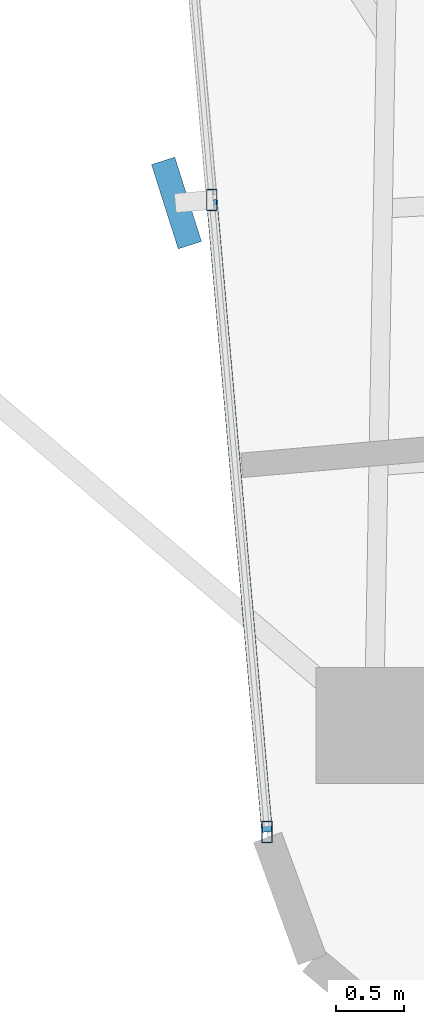
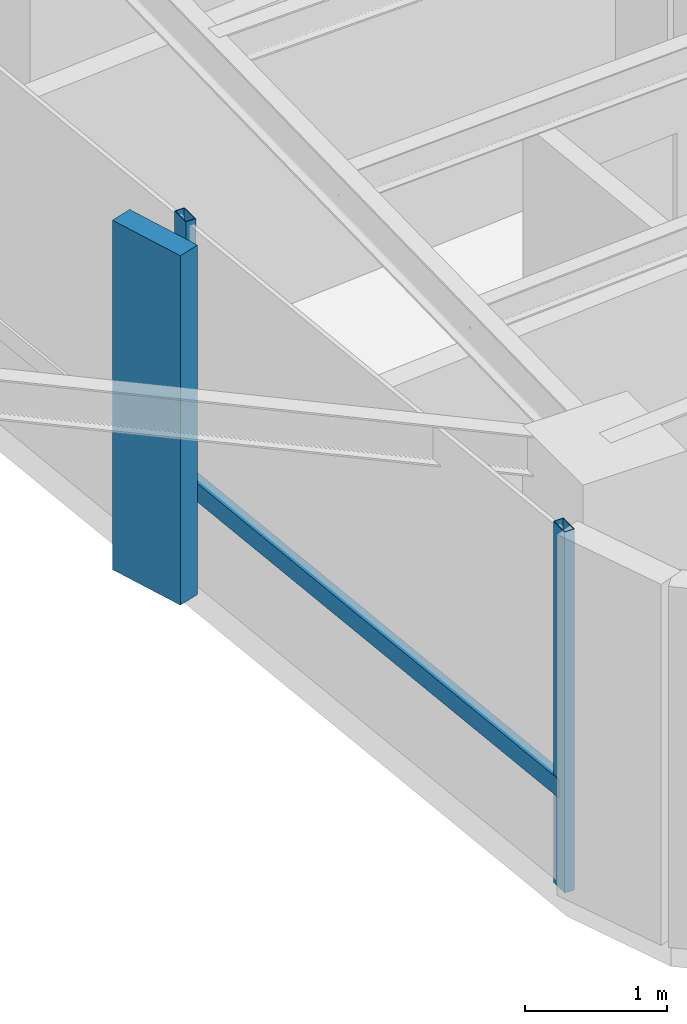
# One storey, part 2 of 24: 4 members, 1 element without a shape of its own.
"""IFC4 building model written with IfcOpenShell, lengths in metres."""

from ifc_helpers import new_model, si_unit, direction, frame, origin, origin_2d, place, context, subcontext, project, spatial, rectangle, hollow_rectangle, extrude, source, transform, mapped, material, material_profile, profile_set, type_object, element, aggregate, save


model = new_model("IFC4")

# Units and contexts
model_context = context("Model", 3, precision=1e-05, world=origin(), true_north=direction((0.0, 1.0)))
body_context = subcontext(model_context, "Body", "Model", "MODEL_VIEW")
ifc_project = project(units=[si_unit("LENGTHUNIT", "METRE"), si_unit("AREAUNIT", "SQUARE_METRE"), si_unit("VOLUMEUNIT", "CUBIC_METRE"), si_unit("PLANEANGLEUNIT", "RADIAN"), si_unit("MASSUNIT", "GRAM", prefix="KILO")], contexts=[model_context])

# Site, building, storey
site_placement = place(None, origin())
site = spatial("IfcSite", under=ifc_project, at=site_placement, CompositionType="ELEMENT")
building_placement = place(site_placement, origin())
building = spatial("IfcBuilding", under=site, at=building_placement, Name="Sahyath Konkavel Grand Hotel", CompositionType="ELEMENT")
storey_placement = place(building_placement, frame((0.0, 0.0, 150.60009765625)))
storey = spatial("IfcBuildingStorey", under=building, at=storey_placement, Name="L41", CompositionType="ELEMENT", Elevation=150.60009765625)

# Curtain wall, members
ifc_material_1 = material(Name="Anodised Bronze Aluminium & Low-E Glazing", Category="aluminium")
curtain_wall_type = type_object("IfcCurtainWallType", Name="CW-ZONE3", PredefinedType="NOTDEFINED", material=ifc_material_1)
curtain_wall_placement = place(storey_placement, origin())
curtain_wall = element("IfcCurtainWall", 1, at=curtain_wall_placement, inside=storey, type_object=curtain_wall_type, Name="L41 Unitised Curtain Wall F24", PredefinedType="NOTDEFINED")
ifc_material_2 = material(Name="Anodised Bronze Aluminium", Category="aluminium")
ifc_material_profile_1 = material_profile(ifc_material_2, hollow_rectangle(XDim=0.080078125, YDim=0.159912109375, WallThickness=0.006103515625, at=origin_2d()), Name="RHS 160x80x6")
ifc_profile_set_1 = profile_set([ifc_material_profile_1], Name="Anodised Bronze Aluminium")
member_type_1 = type_object("IfcMemberType", Name="CW-MUL-160", PredefinedType="MULLION", material=ifc_profile_set_1)
shared_shape_1 = source(origin(), body_context, "Body", "SweptSolid", [
    extrude(hollow_rectangle(XDim=0.080078125, YDim=0.159912109375, WallThickness=0.006103515625, at=origin_2d()), origin(), (0.0, 0.0, 1.0), 3.10986328125),
])
member_1_placement = place(storey_placement, frame((-5.12744140625, -14.251220703125, 0.0), z_axis=(0.0, 0.0, 1.0), x_axis=(1.0, 0.0, 0.0)))
member_1 = element("IfcMember", 2, at=member_1_placement, type_object=member_type_1, Name="L41 Curtain Wall Mullion F24-1", PredefinedType="MULLION", context=body_context, shape_type="MappedRepresentation", body=[
    mapped(shared_shape_1, transform((0.0, 0.0, 0.0), scale=1.0)),
])
member_2_placement = place(storey_placement, frame((-4.72119140625, -18.893310546875, 0.0), z_axis=(0.0, 0.0, 1.0), x_axis=(1.0, 0.0, 0.0)))
member_2 = element("IfcMember", 3, at=member_2_placement, type_object=member_type_1, Name="L41 Curtain Wall Mullion F24-2", PredefinedType="MULLION", context=body_context, shape_type="MappedRepresentation", body=[
    mapped(shared_shape_1, transform((0.0, 0.0, 0.0), scale=1.0)),
])
ifc_material_3 = material(Name="Warm Buff Sandstone Cladding on Concrete C50/60", Category="masonry")
ifc_material_profile_2 = material_profile(ifc_material_3, rectangle(XDim=0.179931640625, YDim=0.64990234375, at=origin_2d()), Name="FIN 180x650")
ifc_profile_set_2 = profile_set([ifc_material_profile_2], Name="Warm Buff Sandstone Cladding on Concrete C50/60")
member_type_2 = type_object("IfcMemberType", Name="FIN-SANDSTONE-650", PredefinedType="MULLION", material=ifc_profile_set_2)
shared_shape_2 = source(origin(), body_context, "Body", "SweptSolid", [
    extrude(rectangle(XDim=0.179931640625, YDim=0.64990234375, at=origin_2d()), origin(), (0.0, 0.0, 1.0), 3.010009765625),
])
member_3_placement = place(storey_placement, frame((-5.386474609375, -14.273681640625, 0.0498046875), z_axis=(0.0, 0.0, 1.0), x_axis=(0.953348857629, 0.301870759858, 0.0)))
member_3 = element("IfcMember", 4, at=member_3_placement, type_object=member_type_2, Name="L41 Sandstone Vertical Solar Fin FIN F24-1", PredefinedType="MULLION", context=body_context, shape_type="MappedRepresentation", body=[
    mapped(shared_shape_2, transform((0.0, 0.0, 0.0), scale=1.0)),
])
ifc_material_profile_3 = material_profile(ifc_material_2, hollow_rectangle(XDim=0.080078125, YDim=0.159912109375, WallThickness=0.006103515625, at=origin_2d()), Name="RHS 160x80x6")
ifc_profile_set_3 = profile_set([ifc_material_profile_3], Name="Anodised Bronze Aluminium")
member_type_3 = type_object("IfcMemberType", Name="CW-TRN-160", PredefinedType="USERDEFINED", material=ifc_profile_set_3)
shared_shape_3 = source(origin(), body_context, "Body", "SweptSolid", [
    extrude(hollow_rectangle(XDim=0.080078125, YDim=0.159912109375, WallThickness=0.006103515625, at=origin_2d()), origin(), (0.0, 0.0, 1.0), 4.659912109375),
])
member_4_placement = place(storey_placement, frame((-5.12744140625, -14.251220703125, 0.849853515625), z_axis=(0.087181248758, -0.996192466276, 0.0), x_axis=(0.996192466276, 0.087181248758, 0.0)))
member_4 = element("IfcMember", 5, at=member_4_placement, type_object=member_type_3, Name="L41 Curtain Wall Transom F24-1-spandrel", ObjectType="TRANSOM", PredefinedType="USERDEFINED", context=body_context, shape_type="MappedRepresentation", body=[
    mapped(shared_shape_3, transform((0.0, 0.0, 0.0), scale=1.0)),
])
aggregate(curtain_wall, [member_1, member_3, member_2, member_4])

save(model, "model.ifc")
